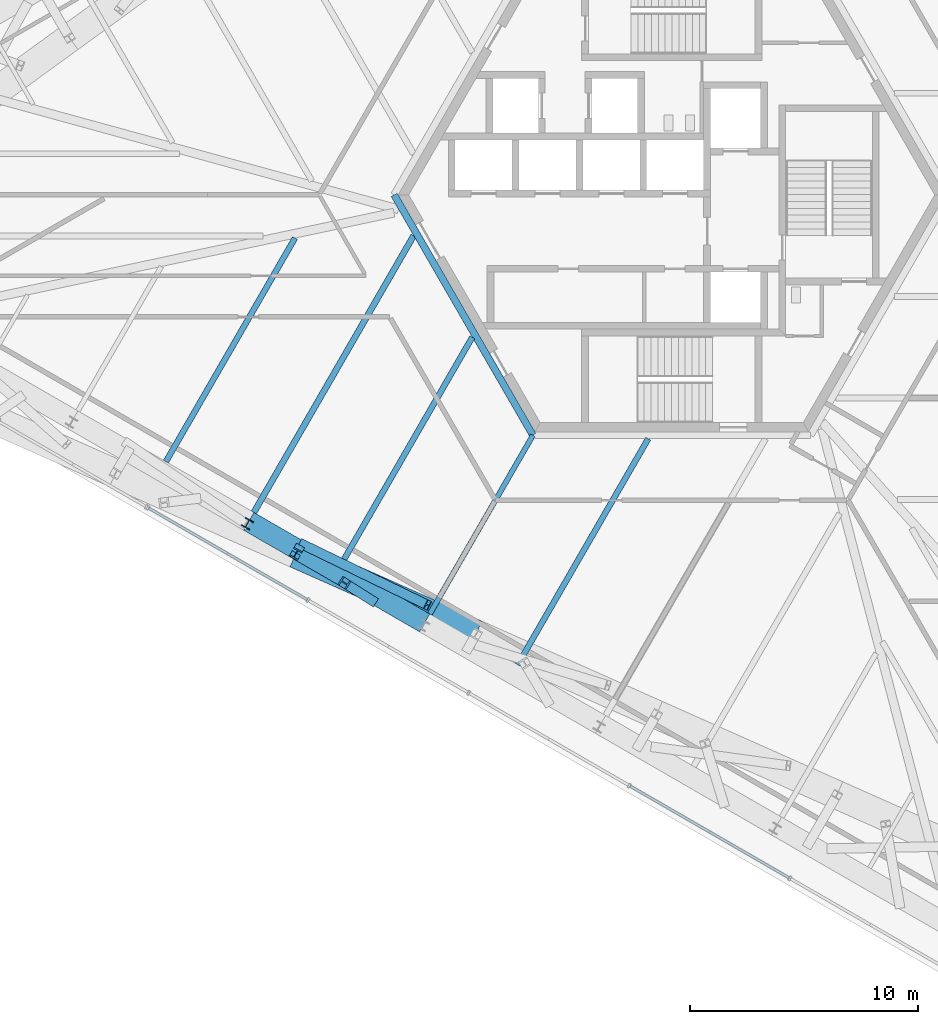
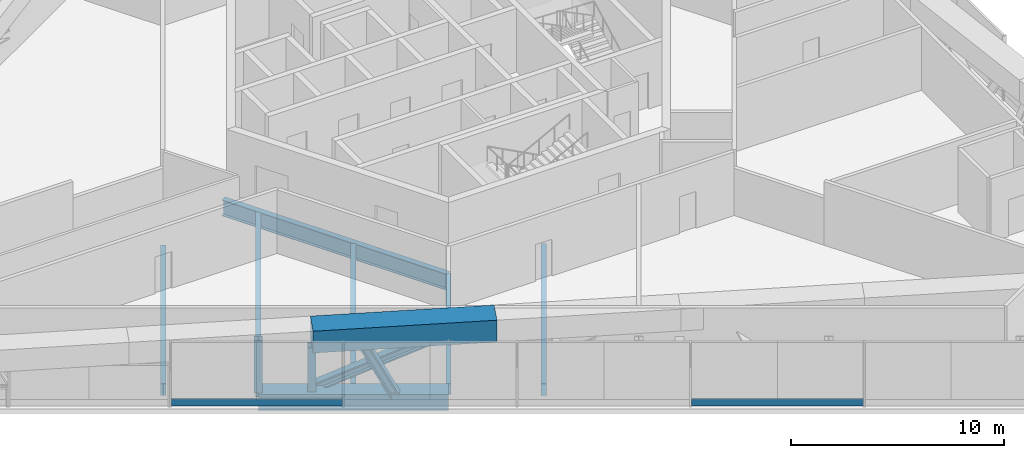
# One storey, part 2 of 23: 8 members, 6 beams, 1 element without a shape of its own.
"""IFC4 building model written with IfcOpenShell, lengths in metres."""

from ifc_helpers import new_model, si_unit, direction, frame, origin, origin_2d, place, context, subcontext, project, spatial, rectangle, hollow_rectangle, i_section, extrude, source, transform, mapped, material, material_profile, profile_set, type_object, element, aggregate, save


model = new_model("IFC4")

# Units and contexts
model_context = context("Model", 3, precision=1e-05, world=origin(), true_north=direction((0.0, 1.0)))
body_context = subcontext(model_context, "Body", "Model", "MODEL_VIEW")
ifc_project = project(units=[si_unit("LENGTHUNIT", "METRE"), si_unit("AREAUNIT", "SQUARE_METRE"), si_unit("VOLUMEUNIT", "CUBIC_METRE"), si_unit("PLANEANGLEUNIT", "RADIAN"), si_unit("MASSUNIT", "GRAM", prefix="KILO")], contexts=[model_context])

# Site, building, storey
site_placement = place(None, origin())
site = spatial("IfcSite", under=ifc_project, at=site_placement, CompositionType="ELEMENT")
building_placement = place(site_placement, origin())
building = spatial("IfcBuilding", under=site, at=building_placement, Name="Triune Harvest Tower", CompositionType="ELEMENT")
storey_placement = place(building_placement, frame((0.0, 0.0, 54.699951171875)))
storey = spatial("IfcBuildingStorey", under=building, at=storey_placement, Name="L12", CompositionType="ELEMENT", Elevation=54.699951171875)

# Curtain wall, member
ifc_material_1 = material(Name="Aluminium bronze anodised", Category="aluminium")
curtain_wall_type = type_object("IfcCurtainWallType", Name="CW-5 Plant louvre wall", PredefinedType="NOTDEFINED", material=ifc_material_1)
curtain_wall_placement = place(storey_placement, origin())
curtain_wall = element("IfcCurtainWall", 1, at=curtain_wall_placement, inside=storey, type_object=curtain_wall_type, Name="CW-5 B1-F5 L12 run 601")
ifc_material_2 = material(Name="Aluminium bronze anodised", Category="aluminium")
ifc_material_profile_1 = material_profile(ifc_material_2, rectangle(XDim=0.10009765625, YDim=0.39990234375, at=origin_2d()), Name="TR-5 transom 100 x 400")
ifc_profile_set_1 = profile_set([ifc_material_profile_1], Name="Aluminium bronze anodised")
member_type_1 = type_object("IfcMemberType", Name="TR-5 transom 100 x 400", PredefinedType="USERDEFINED", material=ifc_profile_set_1)
member_1_placement = place(storey_placement, frame((-22.936767578125, -13.744384765625, 0.199951171875), z_axis=(0.866030928441, -0.499990430892, 0.0), x_axis=(0.499990430892, 0.866030928441, 0.0)))
member_1 = element("IfcMember", 2, at=member_1_placement, type_object=member_type_1, Name="CW-5 transom B1-F5 601.1", ObjectType="TRANSOM", PredefinedType="USERDEFINED", context=body_context, shape_type="SweptSolid", body=[
    extrude(rectangle(XDim=0.10009765625, YDim=0.39990234375, at=origin_2d()), origin(), (0.0, 0.0, 1.0), 8.017822265625),
])

# Beams
ifc_material_3 = material(Name="Steel ASTM A992 Gr 50", Category="steel")
ifc_material_profile_2 = material_profile(ifc_material_3, i_section(OverallWidth=0.3046875, OverallDepth=0.914306640625, WebThickness=0.0166015625, FlangeThickness=0.02587890625, at=origin_2d()), Name="W36x160")
ifc_profile_set_2 = profile_set([ifc_material_profile_2], Name="Steel ASTM A992 Gr 50")
beam_type_1 = type_object("IfcBeamType", Name="CG-1 Core ring girder W36x160", PredefinedType="BEAM", material=ifc_profile_set_2)
shared_shape_1 = source(origin(), body_context, "Body", "SweptSolid", [
    extrude(i_section(OverallWidth=0.3046875, OverallDepth=0.914306640625, WebThickness=0.0166015625, FlangeThickness=0.02587890625, at=origin_2d()), origin(), (0.0, 0.0, 1.0), 12.176025390625),
])
beam_1_placement = place(storey_placement, frame((-12.176025390625, 0.0, -0.70703125), z_axis=(0.5000099932, -0.866019634131, 0.0), x_axis=(0.866019634131, 0.5000099932, 0.0)))
element("IfcBeam", 3, at=beam_1_placement, inside=storey, type_object=beam_type_1, Name="beam/L12/CG4", PredefinedType="BEAM", context=body_context, shape_type="MappedRepresentation", body=[
    mapped(shared_shape_1, transform((0.0, 0.0, 0.0), scale=1.0)),
])
ifc_material_4 = material(Name="Steel ASTM A992 Gr 50", Category="steel")
ifc_material_profile_3 = material_profile(ifc_material_4, i_section(OverallWidth=0.2666015625, OverallDepth=0.7568359375, WebThickness=0.013916015625, FlangeThickness=0.019287109375, at=origin_2d()), Name="W30x108")
ifc_profile_set_3 = profile_set([ifc_material_profile_3], Name="Steel ASTM A992 Gr 50")
beam_type_2 = type_object("IfcBeamType", Name="JT-5 Floor joist W30x108", PredefinedType="JOIST", material=ifc_profile_set_3)
shared_shape_2 = source(origin(), body_context, "Body", "SweptSolid", [
    extrude(i_section(OverallWidth=0.2666015625, OverallDepth=0.7568359375, WebThickness=0.013916015625, FlangeThickness=0.019287109375, at=origin_2d()), origin(), (0.0, 0.0, 1.0), 14.021728515625),
])
beam_2_placement = place(storey_placement, frame((-18.3310546875, -13.930419921875, -0.62841796875), z_axis=(0.499989226071, 0.866031624026, 0.0), x_axis=(-0.866031624026, 0.499989226071, 0.0)))
element("IfcBeam", 4, at=beam_2_placement, inside=storey, type_object=beam_type_2, Name="beam/L12/JT30", PredefinedType="JOIST", context=body_context, shape_type="MappedRepresentation", body=[
    mapped(shared_shape_2, transform((0.0, 0.0, 0.0), scale=1.0)),
])
ifc_material_5 = material(Name="Steel ASTM A992 Gr 50", Category="steel")
ifc_material_profile_4 = material_profile(ifc_material_5, i_section(OverallWidth=0.253662109375, OverallDepth=0.683349609375, WebThickness=0.012451171875, FlangeThickness=0.01904296875, at=origin_2d()), Name="W27x94")
ifc_profile_set_4 = profile_set([ifc_material_profile_4], Name="Steel ASTM A992 Gr 50")
beam_type_3 = type_object("IfcBeamType", Name="JT-4 Floor joist W27x94", PredefinedType="JOIST", material=ifc_profile_set_4)
shared_shape_3 = source(origin(), body_context, "Body", "SweptSolid", [
    extrude(i_section(OverallWidth=0.253662109375, OverallDepth=0.683349609375, WebThickness=0.012451171875, FlangeThickness=0.01904296875, at=origin_2d()), origin(), (0.0, 0.0, 1.0), 11.44970703125),
])
beam_3_placement = place(storey_placement, frame((-6.756591796875, -20.61279296875, -0.591552734375), z_axis=(0.49999870171, 0.866026153351, 0.0), x_axis=(-0.866026153351, 0.49999870171, 0.0)))
element("IfcBeam", 5, at=beam_3_placement, inside=storey, type_object=beam_type_3, Name="beam/L12/JT33", PredefinedType="JOIST", context=body_context, shape_type="MappedRepresentation", body=[
    mapped(shared_shape_3, transform((0.0, 0.0, 0.0), scale=1.0)),
])
ifc_material_6 = material(Name="Steel ASTM A992 Gr 50", Category="steel")
ifc_material_profile_5 = material_profile(ifc_material_6, i_section(OverallWidth=0.22900390625, OverallDepth=0.612060546875, WebThickness=0.011962890625, FlangeThickness=0.01953125, at=origin_2d()), Name="W24x84")
ifc_profile_set_5 = profile_set([ifc_material_profile_5], Name="Steel ASTM A992 Gr 50")
beam_type_4 = type_object("IfcBeamType", Name="JT-3 Floor joist W24x84", PredefinedType="JOIST", material=ifc_profile_set_5)
shared_shape_4 = source(origin(), body_context, "Body", "SweptSolid", [
    extrude(i_section(OverallWidth=0.22900390625, OverallDepth=0.612060546875, WebThickness=0.011962890625, FlangeThickness=0.01953125, at=origin_2d()), origin(), (0.0, 0.0, 1.0), 9.053466796875),
])
beam_4_placement = place(storey_placement, frame((-10.61474609375, -18.38525390625, -0.55615234375), z_axis=(0.500008011075, 0.866020778539, 0.0), x_axis=(-0.866020778539, 0.500008011075, 0.0)))
element("IfcBeam", 6, at=beam_4_placement, inside=storey, type_object=beam_type_4, Name="beam/L12/JT32", PredefinedType="JOIST", context=body_context, shape_type="MappedRepresentation", body=[
    mapped(shared_shape_4, transform((0.0, 0.0, 0.0), scale=1.0)),
])
shared_shape_5 = source(origin(), body_context, "Body", "SweptSolid", [
    extrude(i_section(OverallWidth=0.253662109375, OverallDepth=0.683349609375, WebThickness=0.012451171875, FlangeThickness=0.01904296875, at=origin_2d()), origin(), (0.0, 0.0, 1.0), 11.321533203125),
])
beam_5_placement = place(storey_placement, frame((-22.189208984375, -11.702880859375, -0.591552734375), z_axis=(0.500009917187, 0.866019678018, 0.0), x_axis=(-0.866019678018, 0.500009917187, 0.0)))
element("IfcBeam", 7, at=beam_5_placement, inside=storey, type_object=beam_type_3, Name="beam/L12/JT29", PredefinedType="JOIST", context=body_context, shape_type="MappedRepresentation", body=[
    mapped(shared_shape_5, transform((0.0, 0.0, 0.0), scale=1.0)),
])
shared_shape_6 = source(origin(), body_context, "Body", "SweptSolid", [
    extrude(i_section(OverallWidth=0.253662109375, OverallDepth=0.683349609375, WebThickness=0.012451171875, FlangeThickness=0.01904296875, at=origin_2d()), origin(), (0.0, 0.0, 1.0), 11.449462890625),
])
beam_6_placement = place(storey_placement, frame((-14.472900390625, -16.15771484375, -0.591552734375), z_axis=(0.500007934886, 0.866020822528, 0.0), x_axis=(-0.866020822528, 0.500007934886, 0.0)))
element("IfcBeam", 8, at=beam_6_placement, inside=storey, type_object=beam_type_3, Name="beam/L12/JT31", PredefinedType="JOIST", context=body_context, shape_type="MappedRepresentation", body=[
    mapped(shared_shape_6, transform((0.0, 0.0, 0.0), scale=1.0)),
])

# Members
ifc_material_7 = material(Name="Steel ASTM A992 Gr 50", Category="steel")
ifc_material_profile_6 = material_profile(ifc_material_7, i_section(OverallWidth=0.40380859375, OverallDepth=0.406494140625, WebThickness=0.027099609375, FlangeThickness=0.043701171875, at=origin_2d()), Name="W14x233")
ifc_profile_set_6 = profile_set([ifc_material_profile_6], Name="Steel ASTM A992 Gr 50")
member_type_2 = type_object("IfcMemberType", Name="WP-1 Roof edge post W14x233", PredefinedType="POST", material=ifc_profile_set_6)
shared_shape_7 = source(origin(), body_context, "Body", "SweptSolid", [
    extrude(i_section(OverallWidth=0.40380859375, OverallDepth=0.406494140625, WebThickness=0.027099609375, FlangeThickness=0.043701171875, at=origin_2d()), origin(), (0.0, 0.0, 1.0), 2.9755859375),
])
member_2_placement = place(storey_placement, frame((-18.615966796875, -14.423828125, -0.25), z_axis=(0.0, 0.0, 1.0), x_axis=(0.866025403784, -0.5, 0.0)))
element("IfcMember", 9, at=member_2_placement, inside=storey, type_object=member_type_2, Name="post/L12/W18", PredefinedType="POST", context=body_context, shape_type="MappedRepresentation", body=[
    mapped(shared_shape_7, transform((0.0, 0.0, 0.0), scale=1.0)),
])
ifc_material_8 = material(Name="Steel ASTM A572 Gr 50", Category="steel")
ifc_material_profile_7 = material_profile(ifc_material_8, hollow_rectangle(XDim=0.89990234375, YDim=0.89990234375, WallThickness=0.050048828125, at=origin_2d()), Name="Box 900x900x50")
ifc_profile_set_7 = profile_set([ifc_material_profile_7], Name="Steel ASTM A572 Gr 50")
member_type_3 = type_object("IfcMemberType", Name="TC-2 Belt truss chord Box 900x900x50", PredefinedType="CHORD", material=ifc_profile_set_7)
shared_shape_8 = source(origin(), body_context, "Body", "SweptSolid", [
    extrude(hollow_rectangle(XDim=0.89990234375, YDim=0.89990234375, WallThickness=0.050048828125, at=origin_2d()), origin(), (0.0, 0.0, 1.0), 8.909912109375),
])
member_3_placement = place(storey_placement, frame((-18.555908203125, -14.320068359375, -0.699951171875), z_axis=(0.866034096015, -0.499984944314, 0.0), x_axis=(0.499984944314, 0.866034096015, 0.0)))
element("IfcMember", 10, at=member_3_placement, inside=storey, type_object=member_type_3, Name="truss/L12/TCB19", PredefinedType="CHORD", context=body_context, shape_type="MappedRepresentation", body=[
    mapped(shared_shape_8, transform((0.0, 0.0, 0.0), scale=1.0)),
])
ifc_material_9 = material(Name="Steel ASTM A572 Gr 50", Category="steel")
ifc_material_profile_8 = material_profile(ifc_material_9, hollow_rectangle(XDim=1.25, YDim=1.25, WallThickness=0.070068359375, at=origin_2d()), Name="Box 1250x1250x70")
ifc_profile_set_8 = profile_set([ifc_material_profile_8], Name="Steel ASTM A572 Gr 50")
member_type_4 = type_object("IfcMemberType", Name="TC-1 Belt truss chord Box 1250x1250x70", PredefinedType="CHORD", material=ifc_profile_set_8)
shared_shape_9 = source(origin(), body_context, "Body", "SweptSolid", [
    extrude(hollow_rectangle(XDim=1.25, YDim=1.25, WallThickness=0.070068359375, at=origin_2d()), origin(), (0.0, 0.0, 1.0), 8.662109375),
])
member_4_placement = place(storey_placement, frame((-16.492431640625, -15.745849609375, 3.01513671875), z_axis=(0.913547524684, -0.406732000392, 0.0), x_axis=(0.406732000392, 0.913547524684, 0.0)))
element("IfcMember", 11, at=member_4_placement, inside=storey, type_object=member_type_4, Name="truss/L12/TCT19", PredefinedType="CHORD", context=body_context, shape_type="MappedRepresentation", body=[
    mapped(shared_shape_9, transform((0.0, 0.0, 0.0), scale=1.0)),
])
ifc_material_10 = material(Name="Steel ASTM A992 Gr 50", Category="steel")
ifc_material_profile_9 = material_profile(ifc_material_10, i_section(OverallWidth=0.411376953125, OverallDepth=0.434326171875, WebThickness=0.035888671875, FlangeThickness=0.057373046875, at=origin_2d()), Name="W14x311")
ifc_profile_set_9 = profile_set([ifc_material_profile_9], Name="Steel ASTM A992 Gr 50")
member_type_5 = type_object("IfcMemberType", Name="TV-1 Belt truss strut W14x311", PredefinedType="STRUT", material=ifc_profile_set_9)
shared_shape_10 = source(origin(), body_context, "Body", "SweptSolid", [
    extrude(i_section(OverallWidth=0.411376953125, OverallDepth=0.434326171875, WebThickness=0.035888671875, FlangeThickness=0.057373046875, at=origin_2d()), origin(), (0.0, 0.0, 1.0), 2.70751953125),
])
member_5_placement = place(storey_placement, frame((-16.390869140625, -15.570068359375, -0.27490234375), z_axis=(-0.037510533797, -0.064922077725, 0.997185079952), x_axis=(0.865865073245, -0.500277597875, 0.0)))
element("IfcMember", 12, at=member_5_placement, inside=storey, type_object=member_type_5, Name="truss/L12/TS19", PredefinedType="STRUT", context=body_context, shape_type="MappedRepresentation", body=[
    mapped(shared_shape_10, transform((0.0, 0.0, 0.0), scale=1.0)),
])
ifc_material_11 = material(Name="Steel ASTM A992 Gr 50", Category="steel")
ifc_material_profile_10 = material_profile(ifc_material_11, i_section(OverallWidth=0.424072265625, OverallDepth=0.47509765625, WebThickness=0.0478515625, FlangeThickness=0.0771484375, at=origin_2d()), Name="W14x426")
ifc_profile_set_10 = profile_set([ifc_material_profile_10], Name="Steel ASTM A992 Gr 50")
member_type_6 = type_object("IfcMemberType", Name="TD-1 Belt truss diagonal W14x426", PredefinedType="BRACE", material=ifc_profile_set_10)
shared_shape_11 = source(origin(), body_context, "Body", "SweptSolid", [
    extrude(i_section(OverallWidth=0.424072265625, OverallDepth=0.47509765625, WebThickness=0.0478515625, FlangeThickness=0.0771484375, at=origin_2d()), origin(), (0.0, 0.0, 1.0), 6.731689453125),
])
member_6_placement = place(storey_placement, frame((-16.240966796875, -15.310302734375, -0.324951171875), z_axis=(0.821199193581, -0.398431936611, 0.408514230292), x_axis=(0.436517211791, 0.899695906298, 0.0)))
element("IfcMember", 13, at=member_6_placement, inside=storey, type_object=member_type_6, Name="truss/L12/TD37", PredefinedType="BRACE", context=body_context, shape_type="MappedRepresentation", body=[
    mapped(shared_shape_11, transform((0.0, 0.0, 0.0), scale=1.0)),
])
shared_shape_12 = source(origin(), body_context, "Body", "SweptSolid", [
    extrude(i_section(OverallWidth=0.424072265625, OverallDepth=0.47509765625, WebThickness=0.0478515625, FlangeThickness=0.0771484375, at=origin_2d()), origin(), (0.0, 0.0, 1.0), 3.09716796875),
])
member_7_placement = place(storey_placement, frame((-13.15478515625, -17.784912109375, -0.324951171875), z_axis=(-0.388616010361, 0.246176024414, 0.88790481556), x_axis=(-0.535133610376, -0.844767434887, 0.0)))
element("IfcMember", 14, at=member_7_placement, inside=storey, type_object=member_type_6, Name="truss/L12/TD38", PredefinedType="BRACE", context=body_context, shape_type="MappedRepresentation", body=[
    mapped(shared_shape_12, transform((0.0, 0.0, 0.0), scale=1.0)),
])

# Member
shared_shape_13 = source(origin(), body_context, "Body", "SweptSolid", [
    extrude(rectangle(XDim=0.10009765625, YDim=0.39990234375, at=origin_2d()), origin(), (0.0, 0.0, 1.0), 8.057861328125),
])
member_8_placement = place(storey_placement, frame((-1.8291015625, -25.930908203125, 0.199951171875), z_axis=(0.866030687647, -0.499990847971, 0.0), x_axis=(0.499990847971, 0.866030687647, 0.0)))
member_8 = element("IfcMember", 15, at=member_8_placement, type_object=member_type_1, Name="CW-5 transom B1-F5 601.4", ObjectType="TRANSOM", PredefinedType="USERDEFINED", context=body_context, shape_type="MappedRepresentation", body=[
    mapped(shared_shape_13, transform((0.0, 0.0, 0.0), scale=1.0)),
])

aggregate(curtain_wall, [member_1, member_8])

save(model, "model.ifc")
